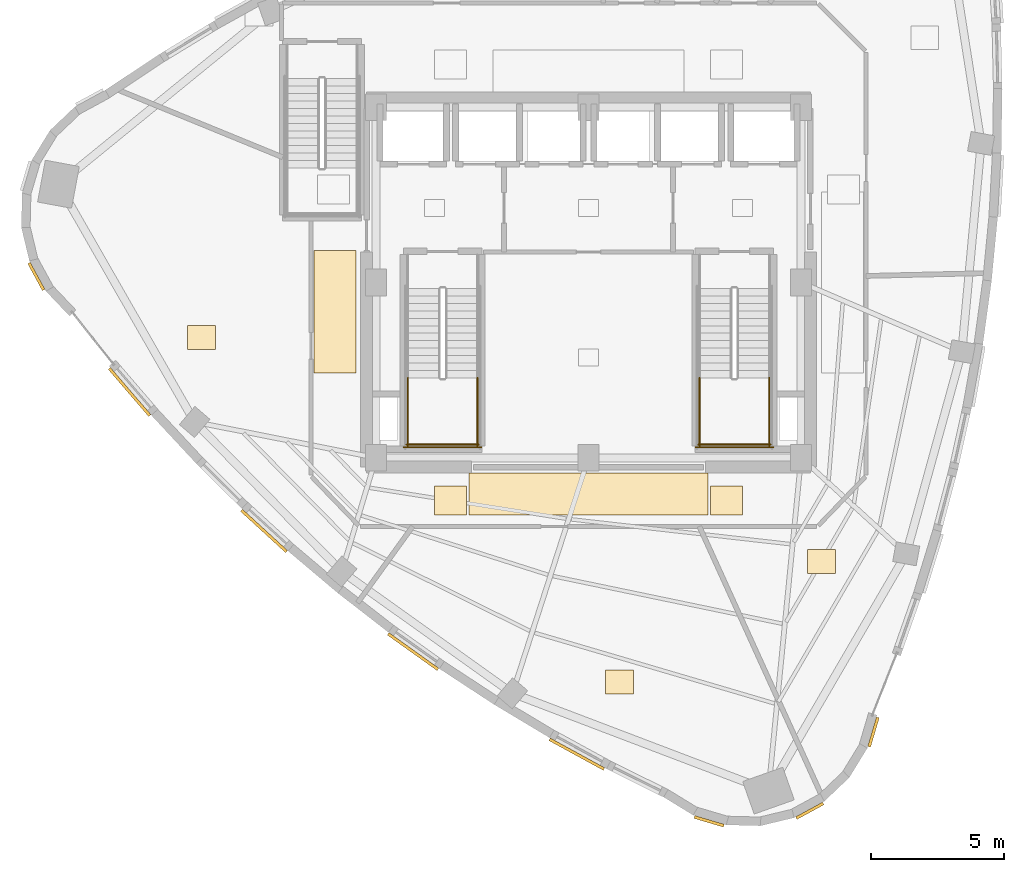
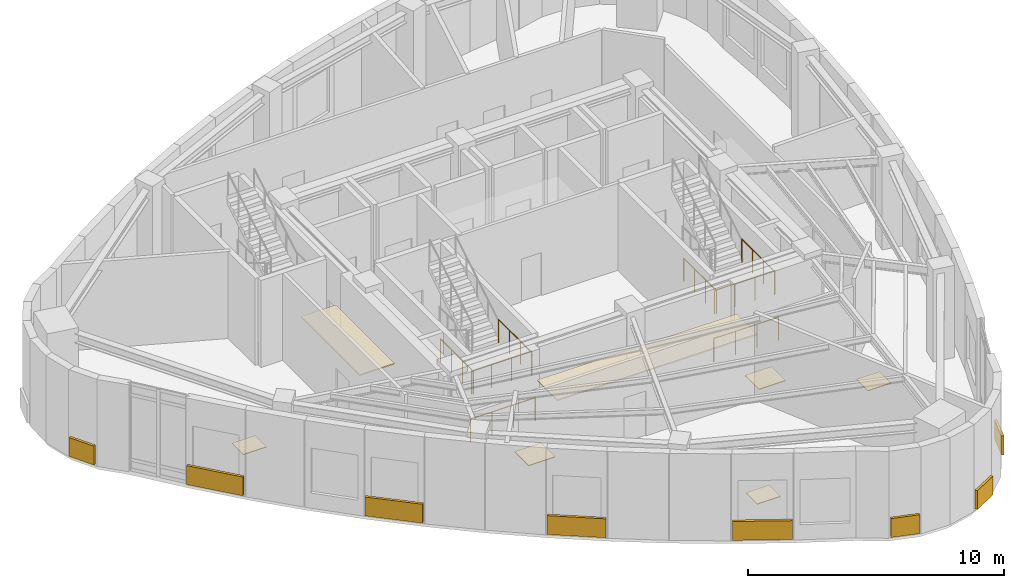
# One storey, part 11 of 13: 15 coverings, 8 railings.
"""IFC4 building model written with IfcOpenShell, lengths in metres."""

from ifc_helpers import new_model, si_unit, direction, frame, origin, origin_2d, place, context, subcontext, project, spatial, rectangle, circle, extrude, material, layer, layer_set, type_object, element, save


model = new_model("IFC4")

# Units and contexts
model_context = context("Model", 3, precision=1e-05, world=origin(), true_north=direction((0.0, 1.0)))
body_context = subcontext(model_context, "Body", "Model", "MODEL_VIEW")
ifc_project = project(units=[si_unit("LENGTHUNIT", "METRE"), si_unit("AREAUNIT", "SQUARE_METRE"), si_unit("VOLUMEUNIT", "CUBIC_METRE"), si_unit("PLANEANGLEUNIT", "RADIAN"), si_unit("MASSUNIT", "GRAM", prefix="KILO")], contexts=[model_context])

# Site, building, storey
site_placement = place(None, origin())
site = spatial("IfcSite", under=ifc_project, at=site_placement, CompositionType="ELEMENT")
building_placement = place(site_placement, origin())
building = spatial("IfcBuilding", under=site, at=building_placement, Name="Ndelora Gate Hotel", CompositionType="ELEMENT")
storey_placement = place(building_placement, frame((0.0, 0.0, 272.800048828125)))
storey = spatial("IfcBuildingStorey", under=building, at=storey_placement, Name="L68", CompositionType="ELEMENT", Elevation=272.800048828125)

# Coverings
ifc_material_1 = material(Name="Perforated Acoustic Gypsum Board", Category="gypsum")
ifc_layer_1 = layer(ifc_material_1, 0.054931640625)
ifc_layer_set_1 = layer_set([ifc_layer_1], Name="Perforated Acoustic Gypsum Board")
covering_type_1 = type_object("IfcCoveringType", Name="COV-CEIL-AC60", PredefinedType="CEILING", material=ifc_layer_set_1)
covering_1_placement = place(storey_placement, frame((-9.550048828125, -1.10009765625, 2.65234375), z_axis=(0.0, 0.0, 1.0), x_axis=(1.0, 0.0, 0.0)))
element("IfcCovering", 1, at=covering_1_placement, inside=storey, type_object=covering_type_1, Name="L68 Guest Corridor Acoustic Ceiling W", PredefinedType="CEILING", context=body_context, shape_type="SweptSolid", body=[
    extrude(rectangle(XDim=1.580078125, YDim=4.60009765625, at=origin_2d()), origin(), (0.0, 0.0, 1.0), 0.054931640625),
])
covering_2_placement = place(storey_placement, frame((0.0, -7.9599609375, 2.65234375), z_axis=(0.0, 0.0, 1.0), x_axis=(1.0, 0.0, 0.0)))
element("IfcCovering", 2, at=covering_2_placement, inside=storey, type_object=covering_type_1, Name="L68 Guest Corridor Acoustic Ceiling S", PredefinedType="CEILING", context=body_context, shape_type="SweptSolid", body=[
    extrude(rectangle(XDim=9.0, YDim=1.580078125, at=origin_2d()), origin(), (0.0, 0.0, 1.0), 0.054931640625),
])
ifc_material_2 = material(Name="Terracotta Fired Clay Brick Slip Cladding", Category="masonry")
ifc_layer_2 = layer(ifc_material_2, 0.110107421875)
ifc_layer_set_2 = layer_set([ifc_layer_2], Name="Terracotta Fired Clay Brick Slip Cladding")
covering_type_2 = type_object("IfcCoveringType", Name="COV-CLAD-BRK", PredefinedType="CLADDING", material=ifc_layer_set_2)
covering_3_placement = place(storey_placement, frame((-20.781494140625, 0.2236328125, 0.10009765625), z_axis=(0.0, 0.0, 1.0), x_axis=(-0.47715876026, 0.878817112662, 0.0)))
element("IfcCovering", 3, at=covering_3_placement, inside=storey, type_object=covering_type_2, Name="L68 Rounded-Corner Brick Cladding Band 7", PredefinedType="CLADDING", context=body_context, shape_type="SweptSolid", body=[
    extrude(rectangle(XDim=1.153076171875, YDim=0.110107421875, at=origin_2d()), origin(), (0.0, 0.0, 1.0), 0.89990234375),
])
covering_4_placement = place(storey_placement, frame((-17.27294921875, -4.123046875, 0.10009765625), z_axis=(0.0, 0.0, 1.0), x_axis=(-0.651568967347, 0.758589401976, 0.0)))
element("IfcCovering", 4, at=covering_4_placement, inside=storey, type_object=covering_type_2, Name="L68 Rounded-Corner Brick Cladding Band 10", PredefinedType="CLADDING", context=body_context, shape_type="SweptSolid", body=[
    extrude(rectangle(XDim=2.3369140625, YDim=0.110107421875, at=origin_2d()), origin(), (0.0, 0.0, 1.0), 0.89990234375),
])
for number, where, z_axis, x_axis, name in (
    (5, (-12.21533203125, -9.348388671875, 0.10009765625), (0.0, 0.0, 1.0), (-0.737513117358, 0.675332808121, 0.0), "L68 Rounded-Corner Brick Cladding Band 13"),
    (6, (-6.6044921875, -13.891845703125, 0.10009765625), (0.0, 0.0, 1.0), (-0.813912765191, 0.580987100252, 0.0), "L68 Rounded-Corner Brick Cladding Band 16"),
):
    element("IfcCovering", number, at=place(storey_placement, frame(where, z_axis=z_axis, x_axis=x_axis)), inside=storey, type_object=covering_type_2, Name=name, PredefinedType="CLADDING", context=body_context, shape_type="SweptSolid", body=[
        extrude(rectangle(XDim=2.302001953125, YDim=0.110107421875, at=origin_2d()), origin(), (0.0, 0.0, 1.0), 0.89990234375),
    ])
covering_5_placement = place(storey_placement, frame((-0.441650390625, -17.752685546875, 0.10009765625), z_axis=(0.0, 0.0, 1.0), x_axis=(-0.87748120917, 0.479611016922, 0.0)))
element("IfcCovering", 7, at=covering_5_placement, inside=storey, type_object=covering_type_2, Name="L68 Rounded-Corner Brick Cladding Band 19", PredefinedType="CLADDING", context=body_context, shape_type="SweptSolid", body=[
    extrude(rectangle(XDim=2.3369140625, YDim=0.110107421875, at=origin_2d()), origin(), (0.0, 0.0, 1.0), 0.89990234375),
])
for number, where, z_axis, x_axis, name in (
    (8, (4.539306640625, -20.281005859375, 0.10009765625), (0.0, 0.0, 1.0), (-0.958819734868, 0.284015344704, 0.0), "L68 Rounded-Corner Brick Cladding Band 22"),
    (9, (8.328125, -19.882568359375, 0.10009765625), (0.0, 0.0, 1.0), (0.878817112662, 0.47715876026, 0.0), "L68 Rounded-Corner Brick Cladding Band 25"),
    (10, (10.7255859375, -16.922119140625, 0.10009765625), (0.0, 0.0, 1.0), (0.284015344704, 0.958819734868, 0.0), "L68 Rounded-Corner Brick Cladding Band 28"),
):
    element("IfcCovering", number, at=place(storey_placement, frame(where, z_axis=z_axis, x_axis=x_axis)), inside=storey, type_object=covering_type_2, Name=name, PredefinedType="CLADDING", context=body_context, shape_type="SweptSolid", body=[
        extrude(rectangle(XDim=1.153076171875, YDim=0.110107421875, at=origin_2d()), origin(), (0.0, 0.0, 1.0), 0.89990234375),
    ])
ifc_material_3 = material(Name="Engineered Highland Oak Parquet", Category="wood")
ifc_layer_3 = layer(ifc_material_3, 0.030029296875)
ifc_layer_set_3 = layer_set([ifc_layer_3], Name="Engineered Highland Oak Parquet")
covering_type_3 = type_object("IfcCoveringType", Name="COV-FLR-PARQ", PredefinedType="FLOORING", material=ifc_layer_set_3)
for number, where, z_axis, x_axis, name in (
    (11, (-14.561767578125, -2.068603515625, 0.0), (0.0, 0.0, 1.0), (1.0, 0.0, 0.0), "L68 Altitude Culinary Production Kitchen Oak Parquet Flooring"),
    (12, (1.159423828125, -15.038330078125, 0.0), (0.0, 0.0, 1.0), (1.0, 0.0, 0.0), "L68 Sommelier Wine Tasting Room Oak Parquet Flooring"),
    (13, (8.76953125, -10.505859375, 0.0), (0.0, 0.0, 1.0), (1.0, 0.0, 0.0), "L68 Private Chef Dining Room Oak Parquet Flooring"),
):
    element("IfcCovering", number, at=place(storey_placement, frame(where, z_axis=z_axis, x_axis=x_axis)), inside=storey, type_object=covering_type_3, Name=name, PredefinedType="FLOORING", context=body_context, shape_type="SweptSolid", body=[
        extrude(rectangle(XDim=1.050048828125, YDim=0.89990234375, at=origin_2d()), origin(), (0.0, 0.0, 1.0), 0.030029296875),
    ])
ifc_material_4 = material(Name="Polished Highland Stone Terrazzo", Category="masonry")
ifc_layer_4 = layer(ifc_material_4, 0.034912109375)
ifc_layer_set_4 = layer_set([ifc_layer_4], Name="Polished Highland Stone Terrazzo")
covering_type_4 = type_object("IfcCoveringType", Name="COV-FLR-TERZ", PredefinedType="FLOORING", material=ifc_layer_set_4)
for number, where, z_axis, x_axis, name in (
    (14, (-5.199951171875, -8.199951171875, 0.0), (0.0, 0.0, 1.0), (1.0, 0.0, 0.0), "L68 Corridor Threshold Terrazzo Inlay SW"),
    (15, (5.199951171875, -8.199951171875, 0.0), (0.0, 0.0, 1.0), (1.0, 0.0, 0.0), "L68 Corridor Threshold Terrazzo Inlay SE"),
):
    element("IfcCovering", number, at=place(storey_placement, frame(where, z_axis=z_axis, x_axis=x_axis)), inside=storey, type_object=covering_type_4, Name=name, PredefinedType="FLOORING", context=body_context, shape_type="SweptSolid", body=[
        extrude(rectangle(XDim=1.199951171875, YDim=1.10009765625, at=origin_2d()), origin(), (0.0, 0.0, 1.0), 0.034912109375),
    ])

# Railings
ifc_material_5 = material(Name="Painted Galvanized Steel Balustrade", Category="steel")
ifc_layer_5 = layer(ifc_material_5, 0.06005859375)
ifc_layer_set_5 = layer_set([ifc_layer_5], Name="Painted Galvanized Steel Balustrade")
railing_type = type_object("IfcRailingType", Name="RL-STAIR-GD", PredefinedType="GUARDRAIL", material=ifc_layer_set_5)
for number, where, name in (
    (16, (-6.800048828125, -3.590087890625, 2.199951171875), "L68 ST4 stair guard 3"),
    (17, (-4.179931640625, -3.590087890625, 2.199951171875), "L68 ST4 stair guard 4"),
):
    element("IfcRailing", number, at=place(storey_placement, frame(where)), inside=storey, type_object=railing_type, Name=name, PredefinedType="GUARDRAIL", context=body_context, shape_type="SweptSolid", body=[
        extrude(circle(Radius=0.02392578125, at=origin_2d()), frame((0.0, 0.0, 1.10595703125), z_axis=(0.0, -1.0, 0.0), x_axis=(1.0, 0.0, 0.0)), (0.0, 0.0, 1.0), 2.559814453125),
        extrude(circle(Radius=0.02099609375, at=origin_2d()), origin(), (0.0, 0.0, 1.0), 1.081787109375),
        extrude(circle(Radius=0.02099609375, at=origin_2d()), frame((0.0, -0.853271484375, 0.0)), (0.0, 0.0, 1.0), 1.081787109375),
        extrude(circle(Radius=0.02099609375, at=origin_2d()), frame((0.0, -1.70654296875, 0.0)), (0.0, 0.0, 1.0), 1.081787109375),
        extrude(circle(Radius=0.02099609375, at=origin_2d()), frame((0.0, -2.559814453125, 0.0)), (0.0, 0.0, 1.0), 1.081787109375),
    ])
railing_1_placement = place(storey_placement, frame((-6.85009765625, -6.10009765625, 2.199951171875)))
element("IfcRailing", 18, at=railing_1_placement, inside=storey, type_object=railing_type, Name="L68 ST4 stair guard 5", PredefinedType="GUARDRAIL", context=body_context, shape_type="SweptSolid", body=[
    extrude(circle(Radius=0.02392578125, at=origin_2d()), frame((0.0, 0.0, 1.10595703125), z_axis=(1.0, 0.0, 0.0), x_axis=(0.0, 1.0, 0.0)), (0.0, 0.0, 1.0), 2.72021484375),
    extrude(circle(Radius=0.02099609375, at=origin_2d()), origin(), (0.0, 0.0, 1.0), 1.081787109375),
    extrude(circle(Radius=0.02099609375, at=origin_2d()), frame((0.90673828125, 0.0, 0.0)), (0.0, 0.0, 1.0), 1.081787109375),
    extrude(circle(Radius=0.02099609375, at=origin_2d()), frame((1.8134765625, 0.0, 0.0)), (0.0, 0.0, 1.0), 1.081787109375),
    extrude(circle(Radius=0.02099609375, at=origin_2d()), frame((2.72021484375, 0.0, 0.0)), (0.0, 0.0, 1.0), 1.081787109375),
])
railing_2_placement = place(storey_placement, frame((-6.949951171875, -6.199951171875, 0.0)))
element("IfcRailing", 19, at=railing_2_placement, inside=storey, type_object=railing_type, Name="L68 ST4 stair guard 12", PredefinedType="GUARDRAIL", context=body_context, shape_type="SweptSolid", body=[
    extrude(circle(Radius=0.02392578125, at=origin_2d()), frame((0.0, 0.0, 1.10595703125), z_axis=(1.0, 0.0, 0.0), x_axis=(0.0, 1.0, 0.0)), (0.0, 0.0, 1.0), 2.919921875),
    extrude(circle(Radius=0.02099609375, at=origin_2d()), origin(), (0.0, 0.0, 1.0), 1.081787109375),
    extrude(circle(Radius=0.02099609375, at=origin_2d()), frame((0.973388671875, 0.0, 0.0)), (0.0, 0.0, 1.0), 1.081787109375),
    extrude(circle(Radius=0.02099609375, at=origin_2d()), frame((1.946533203125, 0.0, 0.0)), (0.0, 0.0, 1.0), 1.081787109375),
    extrude(circle(Radius=0.02099609375, at=origin_2d()), frame((2.919921875, 0.0, 0.0)), (0.0, 0.0, 1.0), 1.081787109375),
])
for number, where, name in (
    (20, (4.179931640625, -3.590087890625, 2.199951171875), "L68 ST5 stair guard 3"),
    (21, (6.800048828125, -3.590087890625, 2.199951171875), "L68 ST5 stair guard 4"),
):
    element("IfcRailing", number, at=place(storey_placement, frame(where)), inside=storey, type_object=railing_type, Name=name, PredefinedType="GUARDRAIL", context=body_context, shape_type="SweptSolid", body=[
        extrude(circle(Radius=0.02392578125, at=origin_2d()), frame((0.0, 0.0, 1.10595703125), z_axis=(0.0, -1.0, 0.0), x_axis=(1.0, 0.0, 0.0)), (0.0, 0.0, 1.0), 2.559814453125),
        extrude(circle(Radius=0.02099609375, at=origin_2d()), origin(), (0.0, 0.0, 1.0), 1.081787109375),
        extrude(circle(Radius=0.02099609375, at=origin_2d()), frame((0.0, -0.853271484375, 0.0)), (0.0, 0.0, 1.0), 1.081787109375),
        extrude(circle(Radius=0.02099609375, at=origin_2d()), frame((0.0, -1.70654296875, 0.0)), (0.0, 0.0, 1.0), 1.081787109375),
        extrude(circle(Radius=0.02099609375, at=origin_2d()), frame((0.0, -2.559814453125, 0.0)), (0.0, 0.0, 1.0), 1.081787109375),
    ])
railing_3_placement = place(storey_placement, frame((4.1298828125, -6.10009765625, 2.199951171875)))
element("IfcRailing", 22, at=railing_3_placement, inside=storey, type_object=railing_type, Name="L68 ST5 stair guard 5", PredefinedType="GUARDRAIL", context=body_context, shape_type="SweptSolid", body=[
    extrude(circle(Radius=0.02392578125, at=origin_2d()), frame((0.0, 0.0, 1.10595703125), z_axis=(1.0, 0.0, 0.0), x_axis=(0.0, 1.0, 0.0)), (0.0, 0.0, 1.0), 2.72021484375),
    extrude(circle(Radius=0.02099609375, at=origin_2d()), origin(), (0.0, 0.0, 1.0), 1.081787109375),
    extrude(circle(Radius=0.02099609375, at=origin_2d()), frame((0.90673828125, 0.0, 0.0)), (0.0, 0.0, 1.0), 1.081787109375),
    extrude(circle(Radius=0.02099609375, at=origin_2d()), frame((1.8134765625, 0.0, 0.0)), (0.0, 0.0, 1.0), 1.081787109375),
    extrude(circle(Radius=0.02099609375, at=origin_2d()), frame((2.72021484375, 0.0, 0.0)), (0.0, 0.0, 1.0), 1.081787109375),
])
railing_4_placement = place(storey_placement, frame((4.030029296875, -6.199951171875, 0.0)))
element("IfcRailing", 23, at=railing_4_placement, inside=storey, type_object=railing_type, Name="L68 ST5 stair guard 12", PredefinedType="GUARDRAIL", context=body_context, shape_type="SweptSolid", body=[
    extrude(circle(Radius=0.02392578125, at=origin_2d()), frame((0.0, 0.0, 1.10595703125), z_axis=(1.0, 0.0, 0.0), x_axis=(0.0, 1.0, 0.0)), (0.0, 0.0, 1.0), 2.919921875),
    extrude(circle(Radius=0.02099609375, at=origin_2d()), origin(), (0.0, 0.0, 1.0), 1.081787109375),
    extrude(circle(Radius=0.02099609375, at=origin_2d()), frame((0.973388671875, 0.0, 0.0)), (0.0, 0.0, 1.0), 1.081787109375),
    extrude(circle(Radius=0.02099609375, at=origin_2d()), frame((1.946533203125, 0.0, 0.0)), (0.0, 0.0, 1.0), 1.081787109375),
    extrude(circle(Radius=0.02099609375, at=origin_2d()), frame((2.919921875, 0.0, 0.0)), (0.0, 0.0, 1.0), 1.081787109375),
])

save(model, "model.ifc")
